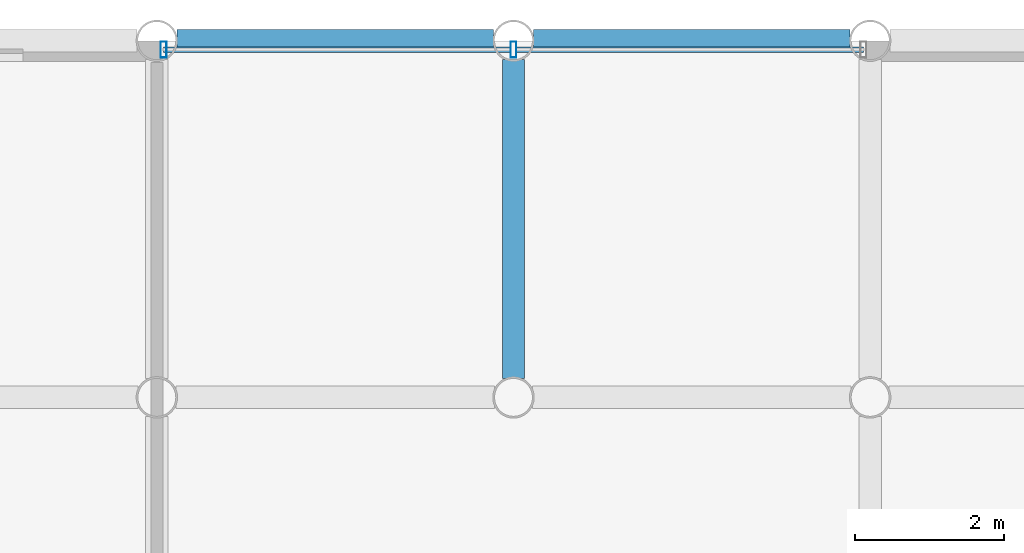
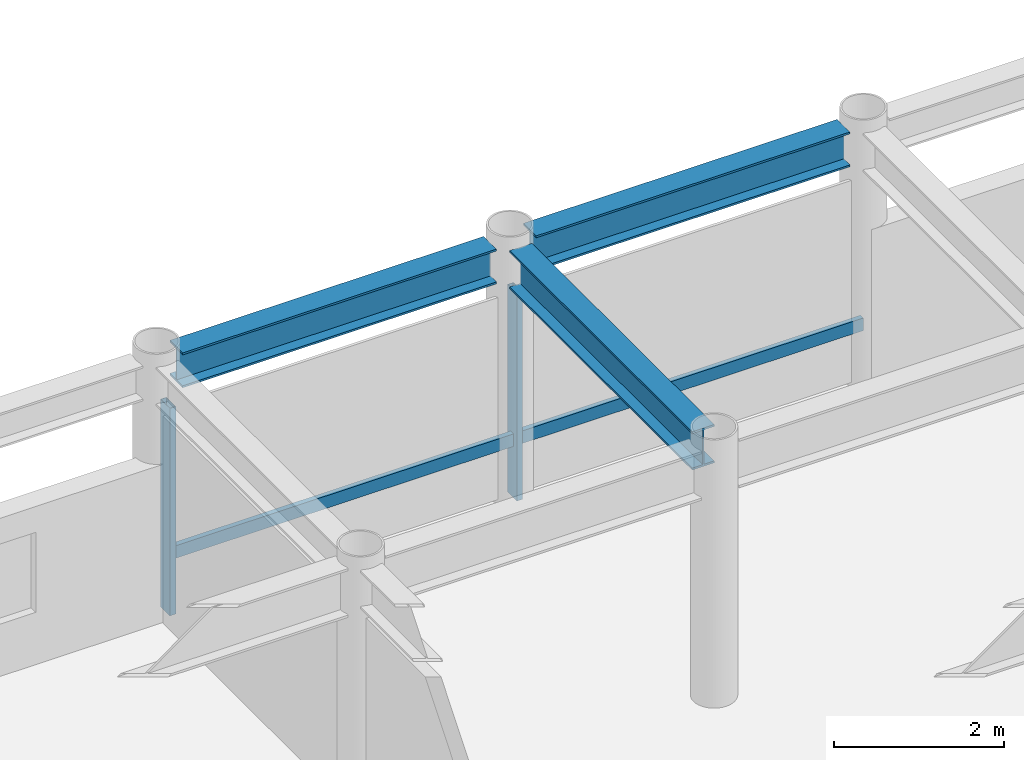
# One storey, part 14 of 22: 4 members, 3 beams, 1 element without a shape of its own.
"""IFC4 building model written with IfcOpenShell, lengths in metres."""

from ifc_helpers import new_model, si_unit, direction, frame, origin, origin_2d, place, context, subcontext, project, spatial, hollow_rectangle, i_section, extrude, material, layer, layer_set, material_profile, profile_set, type_object, element, aggregate, save


model = new_model("IFC4")

# Units and contexts
model_context = context("Model", 3, precision=1e-05, world=origin(), true_north=direction((0.0, 1.0)))
body_context = subcontext(model_context, "Body", "Model", "MODEL_VIEW")
ifc_project = project(units=[si_unit("LENGTHUNIT", "METRE"), si_unit("AREAUNIT", "SQUARE_METRE"), si_unit("VOLUMEUNIT", "CUBIC_METRE"), si_unit("PLANEANGLEUNIT", "RADIAN"), si_unit("MASSUNIT", "GRAM", prefix="KILO")], contexts=[model_context])

# Site, building, storey
site_placement = place(None, origin())
site = spatial("IfcSite", under=ifc_project, at=site_placement, CompositionType="ELEMENT")
building_placement = place(site_placement, origin())
building = spatial("IfcBuilding", under=site, at=building_placement, Name="Kallvorn Hotel Tower", CompositionType="ELEMENT")
storey_placement = place(building_placement, frame((0.0, 0.0, 226.14990234375)))
storey = spatial("IfcBuildingStorey", under=building, at=storey_placement, Name="L56", CompositionType="ELEMENT", Elevation=226.14990234375)

# Beams
ifc_material_1 = material(Name="Structural steel S355JR", Category="steel")
ifc_material_profile_1 = material_profile(ifc_material_1, i_section(OverallWidth=0.300048828125, OverallDepth=0.5, WebThickness=0.014404296875, FlangeThickness=0.028076171875, at=origin_2d()), Name="HE 500 B")
ifc_profile_set_1 = profile_set([ifc_material_profile_1], Name="Structural steel S355JR")
beam_type_1 = type_object("IfcBeamType", Name="BM_HE500B", PredefinedType="SPANDREL", material=ifc_profile_set_1)
for number, where, z_axis, x_axis, name in (
    (1, (-4.530517578125, 24.0, 3.420166015625), (1.0, 0.0, 0.0), (0.0, 1.0, 0.0), "L57 Perimeter Spandrel 167"),
    (2, (0.26953125, 24.0, 3.420166015625), (1.0, 0.0, 0.0), (0.0, 1.0, 0.0), "L57 Perimeter Spandrel 168"),
):
    element("IfcBeam", number, at=place(storey_placement, frame(where, z_axis=z_axis, x_axis=x_axis)), inside=storey, type_object=beam_type_1, Name=name, PredefinedType="SPANDREL", context=body_context, shape_type="SweptSolid", body=[
        extrude(i_section(OverallWidth=0.300048828125, OverallDepth=0.5, WebThickness=0.014404296875, FlangeThickness=0.028076171875, at=origin_2d()), origin(), (0.0, 0.0, 1.0), 4.260986328125),
    ])
ifc_material_2 = material(Name="Structural steel S355JR", Category="steel")
ifc_material_profile_2 = material_profile(ifc_material_2, i_section(OverallWidth=0.300048828125, OverallDepth=0.550048828125, WebThickness=0.014892578125, FlangeThickness=0.029052734375, at=origin_2d()), Name="HE 550 B")
ifc_profile_set_2 = profile_set([ifc_material_profile_2], Name="Structural steel S355JR")
beam_type_2 = type_object("IfcBeamType", Name="BM_HE550B", PredefinedType="SPANDREL", material=ifc_profile_set_2)
beam_placement = place(storey_placement, frame((0.0, 19.45458984375, 3.39501953125), z_axis=(0.0, 1.0, 0.0), x_axis=(-1.0, 0.0, 0.0)))
element("IfcBeam", 3, at=beam_placement, inside=storey, type_object=beam_type_2, Name="L57 Primary Y-Girder 112", PredefinedType="SPANDREL", context=body_context, shape_type="SweptSolid", body=[
    extrude(i_section(OverallWidth=0.300048828125, OverallDepth=0.550048828125, WebThickness=0.014892578125, FlangeThickness=0.029052734375, at=origin_2d()), origin(), (0.0, 0.0, 1.0), 4.291015625),
])

# Curtain wall, members
ifc_material_3 = material(Name="Thermally broken black-anodised aluminium AA 6063-T6", Category="aluminium")
ifc_layer = layer(ifc_material_3, 0.22998046875)
ifc_layer_set = layer_set([ifc_layer], Name="CW_SYS_5_HOTEL_HIGH")
curtain_wall_type = type_object("IfcCurtainWallType", Name="CW_SYS_5_HOTEL_HIGH", PredefinedType="USERDEFINED", material=ifc_layer_set)
curtain_wall_placement = place(storey_placement, origin())
curtain_wall = element("IfcCurtainWall", 4, at=curtain_wall_placement, inside=storey, type_object=curtain_wall_type, Name="L56 Dark-Glass Curtain Wall CW-L56-NC", ObjectType="UNITISED CURTAIN WALL", PredefinedType="USERDEFINED")
ifc_material_4 = material(Name="Thermally broken black-anodised aluminium AA 6063-T6", Category="aluminium")
ifc_material_profile_3 = material_profile(ifc_material_4, hollow_rectangle(XDim=0.080078125, YDim=0.219970703125, WallThickness=0.0048828125, at=origin_2d()), Name="MUL 220x80")
ifc_profile_set_3 = profile_set([ifc_material_profile_3], Name="Thermally broken black-anodised aluminium AA 6063-T6")
member_type_1 = type_object("IfcMemberType", Name="CW_MULLION_220x80", PredefinedType="MULLION", material=ifc_profile_set_3)
member_1_placement = place(storey_placement, frame((-4.7099609375, 23.8798828125, 0.02001953125), z_axis=(0.0, 0.0, 1.0), x_axis=(1.0, 0.0, 0.0)))
member_1 = element("IfcMember", 5, at=member_1_placement, type_object=member_type_1, Name="CW-L56-NC Mullion 00", PredefinedType="MULLION", context=body_context, shape_type="SweptSolid", body=[
    extrude(hollow_rectangle(XDim=0.080078125, YDim=0.219970703125, WallThickness=0.0048828125, at=origin_2d()), origin(), (0.0, 0.0, 1.0), 2.97998046875),
])
member_2_placement = place(storey_placement, frame((0.0, 23.8798828125, 0.02001953125), z_axis=(0.0, 0.0, 1.0), x_axis=(1.0, 0.0, 0.0)))
member_2 = element("IfcMember", 6, at=member_2_placement, type_object=member_type_1, Name="CW-L56-NC Mullion 01", PredefinedType="MULLION", context=body_context, shape_type="SweptSolid", body=[
    extrude(hollow_rectangle(XDim=0.080078125, YDim=0.219970703125, WallThickness=0.0048828125, at=origin_2d()), origin(), (0.0, 0.0, 1.0), 2.97998046875),
])
ifc_material_5 = material(Name="Thermally broken black-anodised aluminium AA 6063-T6", Category="aluminium")
ifc_material_profile_4 = material_profile(ifc_material_5, hollow_rectangle(XDim=0.070068359375, YDim=0.179931640625, WallThickness=0.00390625, at=origin_2d()), Name="TRN 180x70")
ifc_profile_set_4 = profile_set([ifc_material_profile_4], Name="Thermally broken black-anodised aluminium AA 6063-T6")
member_type_2 = type_object("IfcMemberType", Name="CW_TRANSOM_180x70", PredefinedType="USERDEFINED", material=ifc_profile_set_4)
member_3_placement = place(storey_placement, frame((-4.7099609375, 23.8798828125, 0.85009765625), z_axis=(1.0, 0.0, 0.0), x_axis=(0.0, 1.0, 0.0)))
member_3 = element("IfcMember", 7, at=member_3_placement, type_object=member_type_2, Name="CW-L56-NC Transom 00M", ObjectType="TRANSOM", PredefinedType="USERDEFINED", context=body_context, shape_type="SweptSolid", body=[
    extrude(hollow_rectangle(XDim=0.070068359375, YDim=0.179931640625, WallThickness=0.00390625, at=origin_2d()), origin(), (0.0, 0.0, 1.0), 4.669921875),
])
member_4_placement = place(storey_placement, frame((0.0400390625, 23.8798828125, 0.85009765625), z_axis=(1.0, 0.0, 0.0), x_axis=(0.0, 1.0, 0.0)))
member_4 = element("IfcMember", 8, at=member_4_placement, type_object=member_type_2, Name="CW-L56-NC Transom 01M", ObjectType="TRANSOM", PredefinedType="USERDEFINED", context=body_context, shape_type="SweptSolid", body=[
    extrude(hollow_rectangle(XDim=0.070068359375, YDim=0.179931640625, WallThickness=0.00390625, at=origin_2d()), origin(), (0.0, 0.0, 1.0), 4.669921875),
])
aggregate(curtain_wall, [member_1, member_2, member_3, member_4])

save(model, "model.ifc")
